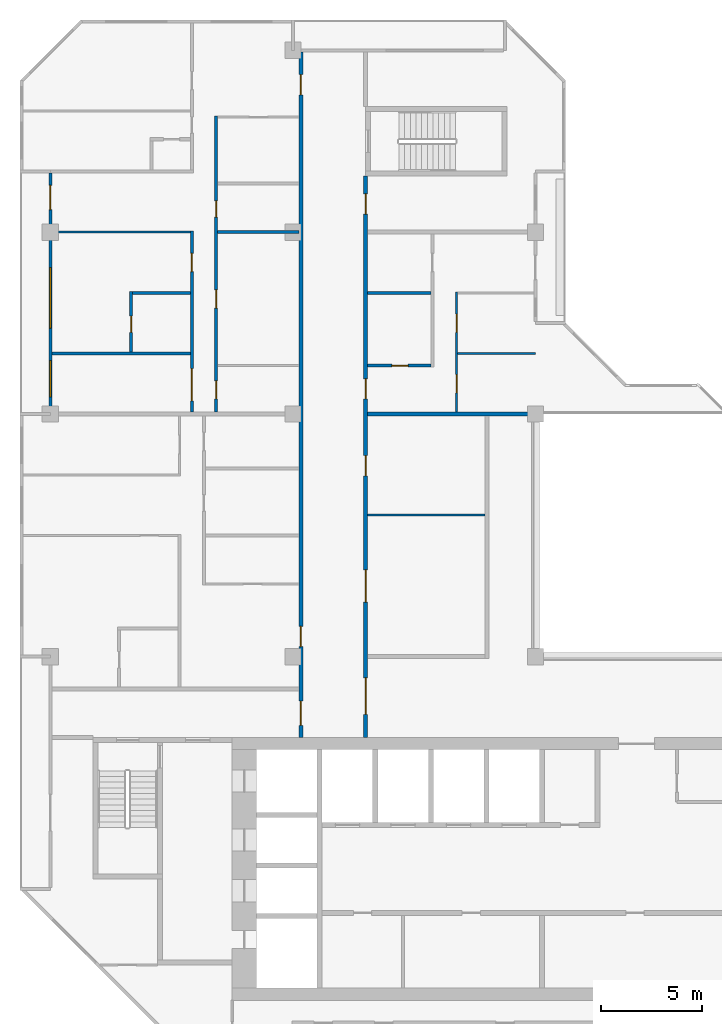
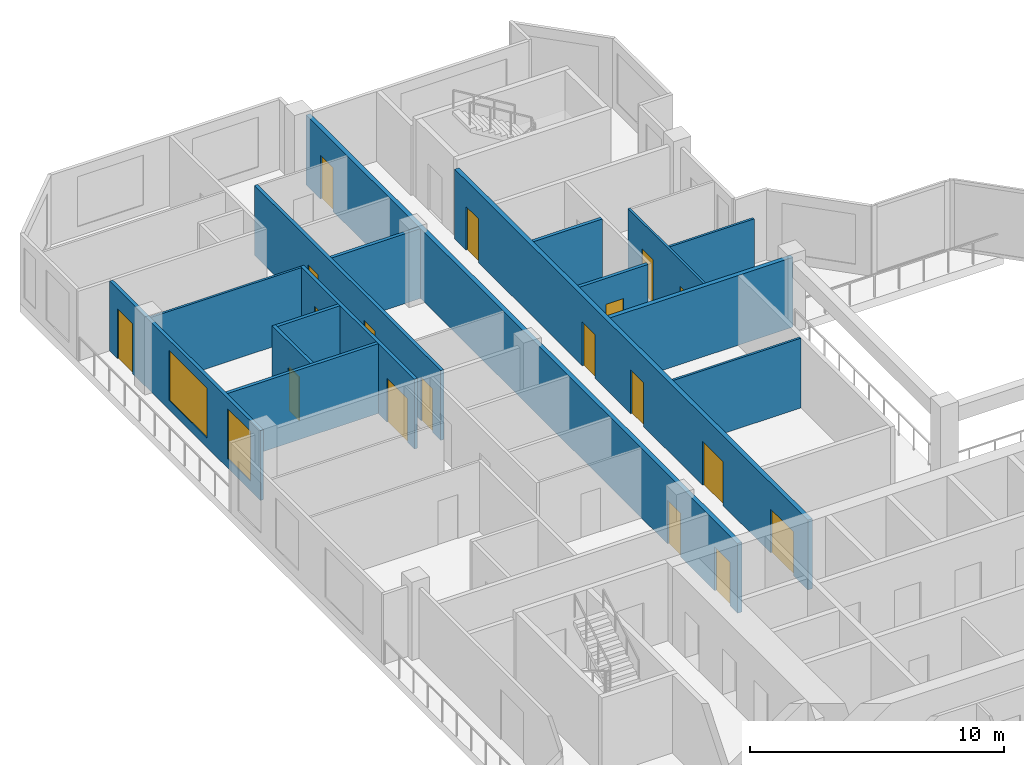
# One storey, part 9 of 13: 18 doors, 16 walls, 2 windows, 20 openings.
"""IFC4 building model written with IfcOpenShell, lengths in metres."""

from ifc_helpers import new_model, si_unit, direction, frame, frame_2d, origin, place, context, subcontext, project, spatial, rectangle, extrude, material, layer, layer_set, type_object, element, fill, save


model = new_model("IFC4")

# Units and contexts
model_context = context("Model", 3, precision=1e-05, world=origin(), true_north=direction((0.0, 1.0)))
body_context = subcontext(model_context, "Body", "Model", "MODEL_VIEW")
ifc_project = project(units=[si_unit("LENGTHUNIT", "METRE"), si_unit("AREAUNIT", "SQUARE_METRE"), si_unit("VOLUMEUNIT", "CUBIC_METRE"), si_unit("PLANEANGLEUNIT", "RADIAN"), si_unit("MASSUNIT", "GRAM", prefix="KILO")], contexts=[model_context])

# Site, building, storey
site_placement = place(None, origin())
site = spatial("IfcSite", under=ifc_project, at=site_placement, CompositionType="ELEMENT")
building_placement = place(site_placement, origin())
building = spatial("IfcBuilding", under=site, at=building_placement, Name="Chenar Terraces", CompositionType="ELEMENT")
storey_placement = place(building_placement, frame((0.0, 0.0, 314.64990234375)))
storey = spatial("IfcBuildingStorey", under=building, at=storey_placement, Name="L74", CompositionType="ELEMENT", Elevation=314.64990234375)

# Wall, openings, doors
ifc_material_1 = material(Name="Gypsum board on steel studs with fire boards", Category="steel")
ifc_layer_1 = layer(ifc_material_1, 0.199951171875)
ifc_layer_set_1 = layer_set([ifc_layer_1], Name="Gypsum board on steel studs with fire boards")
wall_type_1 = type_object("IfcWallType", Name="Corridor wall 200", PredefinedType="PARTITIONING", material=ifc_layer_set_1)
wall_1_placement = place(storey_placement, frame((12.39990234375, 20.0, 0.0), z_axis=(0.0, 0.0, 1.0), x_axis=(0.0, 1.0, 0.0)))
wall_1 = element("IfcWall", 1, at=wall_1_placement, inside=storey, type_object=wall_type_1, Name="Partition L74-034", PredefinedType="PARTITIONING", context=body_context, shape_type="SweptSolid", body=[
    extrude(rectangle(XDim=33.926025390625, YDim=0.199951171875, at=frame_2d((16.962890625, 0.0))), origin(), (0.0, 0.0, 1.0), 3.35009765625),
])
opening_1_placement = place(wall_1_placement, frame((31.800048828125, 0.0, 0.0)))
opening_1 = element("IfcOpeningElement", 2, at=opening_1_placement, cuts=wall_1, Name="Opening DL74-23", PredefinedType="OPENING", context=body_context, shape_type="SweptSolid", body=[
    extrude(rectangle(XDim=1.0, YDim=2.10009765625, at=frame_2d((0.5, 1.050048828125))), frame((0.0, 0.10986328125, 0.0), z_axis=(0.0, -1.0, 0.0), x_axis=(1.0, 0.0, 0.0)), (0.0, 0.0, 1.0), 0.219970703125),
])
opening_2_placement = place(wall_1_placement, frame((0.60009765625, 0.0, 0.0)))
opening_2 = element("IfcOpeningElement", 3, at=opening_2_placement, cuts=wall_1, Name="Opening DL74-31", PredefinedType="OPENING", context=body_context, shape_type="SweptSolid", body=[
    extrude(rectangle(XDim=1.199951171875, YDim=2.10009765625, at=frame_2d((0.60009765625, 1.050048828125))), frame((0.0, 0.10986328125, 0.0), z_axis=(0.0, -1.0, 0.0), x_axis=(1.0, 0.0, 0.0)), (0.0, 0.0, 1.0), 0.219970703125),
])
opening_3_placement = place(wall_1_placement, frame((4.5, 0.0, 0.0)))
opening_3 = element("IfcOpeningElement", 4, at=opening_3_placement, cuts=wall_1, Name="Opening DL74-55", PredefinedType="OPENING", context=body_context, shape_type="SweptSolid", body=[
    extrude(rectangle(XDim=1.0, YDim=2.10009765625, at=frame_2d((0.5, 1.050048828125))), frame((0.0, 0.10986328125, 0.0), z_axis=(0.0, -1.0, 0.0), x_axis=(1.0, 0.0, 0.0)), (0.0, 0.0, 1.0), 0.219970703125),
])
ifc_material_2 = material(Name="Steel-framed fire-resisting door leaf", Category="steel")
door_type_1 = type_object("IfcDoorType", Name="Fire door FD30S 1000 x 2100", OperationType="SINGLE_SWING_LEFT", PredefinedType="DOOR", material=ifc_material_2)
door_1_placement = place(opening_1_placement, origin())
door_1 = element("IfcDoor", 5, at=door_1_placement, inside=storey, type_object=door_type_1, Name="Door DL74-23", OperationType="SINGLE_SWING_RIGHT", OverallHeight=2.10009765625, OverallWidth=1.0, PredefinedType="DOOR", context=body_context, shape_type="SweptSolid", body=[
    extrude(rectangle(XDim=1.0, YDim=2.10009765625, at=frame_2d((0.5, 1.050048828125))), frame((0.0, 0.02490234375, 0.0), z_axis=(0.0, -1.0, 0.0), x_axis=(1.0, 0.0, 0.0)), (0.0, 0.0, 1.0), 0.050048828125),
])
fill(opening_1, door_1)
door_2_placement = place(opening_3_placement, origin())
door_2 = element("IfcDoor", 6, at=door_2_placement, inside=storey, type_object=door_type_1, Name="Door DL74-55", OperationType="SINGLE_SWING_LEFT", OverallHeight=2.10009765625, OverallWidth=1.0, PredefinedType="DOOR", context=body_context, shape_type="SweptSolid", body=[
    extrude(rectangle(XDim=1.0, YDim=2.10009765625, at=frame_2d((0.5, 1.050048828125))), frame((0.0, 0.02490234375, 0.0), z_axis=(0.0, -1.0, 0.0), x_axis=(1.0, 0.0, 0.0)), (0.0, 0.0, 1.0), 0.050048828125),
])
fill(opening_3, door_2)
ifc_material_3 = material(Name="Steel-framed fire-resisting door leaf", Category="steel")
door_type_2 = type_object("IfcDoorType", Name="Fire door FD30S 1200 x 2100", OperationType="SINGLE_SWING_LEFT", PredefinedType="DOOR", material=ifc_material_3)
door_3_placement = place(opening_2_placement, origin())
door_3 = element("IfcDoor", 7, at=door_3_placement, inside=storey, type_object=door_type_2, Name="Door DL74-31", OperationType="SINGLE_SWING_RIGHT", OverallHeight=2.10009765625, OverallWidth=1.199951171875, PredefinedType="DOOR", context=body_context, shape_type="SweptSolid", body=[
    extrude(rectangle(XDim=1.199951171875, YDim=2.10009765625, at=frame_2d((0.60009765625, 1.050048828125))), frame((0.0, 0.02490234375, 0.0), z_axis=(0.0, -1.0, 0.0), x_axis=(1.0, 0.0, 0.0)), (0.0, 0.0, 1.0), 0.050048828125),
])
fill(opening_2, door_3)

wall_2_placement = place(storey_placement, frame((15.60009765625, 20.0, 0.0), z_axis=(0.0, 0.0, 1.0), x_axis=(0.0, 1.0, 0.0)))
wall_2 = element("IfcWall", 8, at=wall_2_placement, inside=storey, type_object=wall_type_1, Name="Partition L74-036", PredefinedType="PARTITIONING", context=body_context, shape_type="SweptSolid", body=[
    extrude(rectangle(XDim=27.77490234375, YDim=0.199951171875, at=frame_2d((13.887451171875, 0.0))), origin(), (0.0, 0.0, 1.0), 3.35009765625),
])
opening_4_placement = place(wall_2_placement, frame((6.699951171875, 0.0, 0.0)))
opening_4 = element("IfcOpeningElement", 9, at=opening_4_placement, cuts=wall_2, Name="Opening DL74-1", PredefinedType="OPENING", context=body_context, shape_type="SweptSolid", body=[
    extrude(rectangle(XDim=1.60009765625, YDim=2.10009765625, at=frame_2d((0.800048828125, 1.050048828125))), frame((0.0, 0.10986328125, 0.0), z_axis=(0.0, -1.0, 0.0), x_axis=(1.0, 0.0, 0.0)), (0.0, 0.0, 1.0), 0.219970703125),
])
opening_5_placement = place(wall_2_placement, frame((12.949951171875, 0.0, 0.0)))
opening_5 = element("IfcOpeningElement", 10, at=opening_5_placement, cuts=wall_2, Name="Opening DL74-2", PredefinedType="OPENING", context=body_context, shape_type="SweptSolid", body=[
    extrude(rectangle(XDim=1.0, YDim=2.10009765625, at=frame_2d((0.5, 1.050048828125))), frame((0.0, 0.10986328125, 0.0), z_axis=(0.0, -1.0, 0.0), x_axis=(1.0, 0.0, 0.0)), (0.0, 0.0, 1.0), 0.219970703125),
])
opening_6_placement = place(wall_2_placement, frame((16.75, 0.0, 0.0)))
opening_6 = element("IfcOpeningElement", 11, at=opening_6_placement, cuts=wall_2, Name="Opening DL74-17", PredefinedType="OPENING", context=body_context, shape_type="SweptSolid", body=[
    extrude(rectangle(XDim=1.0, YDim=2.10009765625, at=frame_2d((0.5, 1.050048828125))), frame((0.0, 0.10986328125, 0.0), z_axis=(0.0, -1.0, 0.0), x_axis=(1.0, 0.0, 0.0)), (0.0, 0.0, 1.0), 0.219970703125),
])
opening_7_placement = place(wall_2_placement, frame((1.14990234375, 0.0, 0.0)))
opening_7 = element("IfcOpeningElement", 12, at=opening_7_placement, cuts=wall_2, Name="Opening DL74-30", PredefinedType="OPENING", context=body_context, shape_type="SweptSolid", body=[
    extrude(rectangle(XDim=1.800048828125, YDim=2.10009765625, at=frame_2d((0.89990234375, 1.050048828125))), frame((0.0, 0.10986328125, 0.0), z_axis=(0.0, -1.0, 0.0), x_axis=(1.0, 0.0, 0.0)), (0.0, 0.0, 1.0), 0.219970703125),
])
opening_8_placement = place(wall_2_placement, frame((25.89990234375, 0.0, 0.0)))
opening_8 = element("IfcOpeningElement", 13, at=opening_8_placement, cuts=wall_2, Name="Opening DL74-33", PredefinedType="OPENING", context=body_context, shape_type="SweptSolid", body=[
    extrude(rectangle(XDim=1.0, YDim=2.10009765625, at=frame_2d((0.5, 1.050048828125))), frame((0.0, 0.10986328125, 0.0), z_axis=(0.0, -1.0, 0.0), x_axis=(1.0, 0.0, 0.0)), (0.0, 0.0, 1.0), 0.219970703125),
])
ifc_material_4 = material(Name="Steel-framed fire-resisting door leaf", Category="steel")
door_type_3 = type_object("IfcDoorType", Name="Fire door FD60 1000 x 2100", OperationType="SINGLE_SWING_LEFT", PredefinedType="DOOR", material=ifc_material_4)
door_4_placement = place(opening_5_placement, frame((1.0, 0.0, 0.0), z_axis=(0.0, 0.0, 1.0), x_axis=(-1.0, 0.0, 0.0)))
door_4 = element("IfcDoor", 14, at=door_4_placement, inside=storey, type_object=door_type_3, Name="Door DL74-2", OperationType="SINGLE_SWING_LEFT", OverallHeight=2.10009765625, OverallWidth=1.0, PredefinedType="DOOR", context=body_context, shape_type="SweptSolid", body=[
    extrude(rectangle(XDim=1.0, YDim=2.10009765625, at=frame_2d((0.5, 1.050048828125))), frame((0.0, 0.02490234375, 0.0), z_axis=(0.0, -1.0, 0.0), x_axis=(1.0, 0.0, 0.0)), (0.0, 0.0, 1.0), 0.050048828125),
])
fill(opening_5, door_4)
door_5_placement = place(opening_6_placement, frame((1.0, 0.0, 0.0), z_axis=(0.0, 0.0, 1.0), x_axis=(-1.0, 0.0, 0.0)))
door_5 = element("IfcDoor", 15, at=door_5_placement, inside=storey, type_object=door_type_3, Name="Door DL74-17", OperationType="SINGLE_SWING_LEFT", OverallHeight=2.10009765625, OverallWidth=1.0, PredefinedType="DOOR", context=body_context, shape_type="SweptSolid", body=[
    extrude(rectangle(XDim=1.0, YDim=2.10009765625, at=frame_2d((0.5, 1.050048828125))), frame((0.0, 0.02490234375, 0.0), z_axis=(0.0, -1.0, 0.0), x_axis=(1.0, 0.0, 0.0)), (0.0, 0.0, 1.0), 0.050048828125),
])
fill(opening_6, door_5)
door_6_placement = place(opening_8_placement, frame((1.0, 0.0, 0.0), z_axis=(0.0, 0.0, 1.0), x_axis=(-1.0, 0.0, 0.0)))
door_6 = element("IfcDoor", 16, at=door_6_placement, inside=storey, type_object=door_type_3, Name="Door DL74-33", OperationType="SINGLE_SWING_RIGHT", OverallHeight=2.10009765625, OverallWidth=1.0, PredefinedType="DOOR", context=body_context, shape_type="SweptSolid", body=[
    extrude(rectangle(XDim=1.0, YDim=2.10009765625, at=frame_2d((0.5, 1.050048828125))), frame((0.0, 0.02490234375, 0.0), z_axis=(0.0, -1.0, 0.0), x_axis=(1.0, 0.0, 0.0)), (0.0, 0.0, 1.0), 0.050048828125),
])
fill(opening_8, door_6)
ifc_material_5 = material(Name="Steel-framed fire-resisting door leaf", Category="steel")
door_type_4 = type_object("IfcDoorType", Name="Fire double door FD60 1600 x 2100", OperationType="DOUBLE_DOOR_SINGLE_SWING", PredefinedType="DOOR", material=ifc_material_5)
door_7_placement = place(opening_4_placement, frame((1.60009765625, 0.0, 0.0), z_axis=(0.0, 0.0, 1.0), x_axis=(-1.0, 0.0, 0.0)))
door_7 = element("IfcDoor", 17, at=door_7_placement, inside=storey, type_object=door_type_4, Name="Door DL74-1", OperationType="DOUBLE_DOOR_SINGLE_SWING", OverallHeight=2.10009765625, OverallWidth=1.60009765625, PredefinedType="DOOR", context=body_context, shape_type="SweptSolid", body=[
    extrude(rectangle(XDim=1.60009765625, YDim=2.10009765625, at=frame_2d((0.800048828125, 1.050048828125))), frame((0.0, 0.02490234375, 0.0), z_axis=(0.0, -1.0, 0.0), x_axis=(1.0, 0.0, 0.0)), (0.0, 0.0, 1.0), 0.050048828125),
])
fill(opening_4, door_7)
ifc_material_6 = material(Name="Steel-framed fire-resisting door leaf", Category="steel")
door_type_5 = type_object("IfcDoorType", Name="Fire double door FD60 1800 x 2100", OperationType="DOUBLE_DOOR_SINGLE_SWING", PredefinedType="DOOR", material=ifc_material_6)
door_8_placement = place(opening_7_placement, frame((1.800048828125, 0.0, 0.0), z_axis=(0.0, 0.0, 1.0), x_axis=(-1.0, 0.0, 0.0)))
door_8 = element("IfcDoor", 18, at=door_8_placement, inside=storey, type_object=door_type_5, Name="Door DL74-30", OperationType="DOUBLE_DOOR_SINGLE_SWING", OverallHeight=2.10009765625, OverallWidth=1.800048828125, PredefinedType="DOOR", context=body_context, shape_type="SweptSolid", body=[
    extrude(rectangle(XDim=1.800048828125, YDim=2.10009765625, at=frame_2d((0.89990234375, 1.050048828125))), frame((0.0, 0.02490234375, 0.0), z_axis=(0.0, -1.0, 0.0), x_axis=(1.0, 0.0, 0.0)), (0.0, 0.0, 1.0), 0.050048828125),
])
fill(opening_7, door_8)

# Wall, openings, windows, door
ifc_material_7 = material(Name="Aluminium framed glazing", Category="aluminium")
ifc_layer_2 = layer(ifc_material_7, 0.14990234375)
ifc_layer_set_2 = layer_set([ifc_layer_2], Name="Aluminium framed glazing")
wall_type_2 = type_object("IfcWallType", Name="Glazed loggia back wall 150", PredefinedType="SOLIDWALL", material=ifc_layer_set_2)
wall_3_placement = place(storey_placement, frame((0.0, 47.925048828125, 0.0), z_axis=(0.0, 0.0, 1.0), x_axis=(0.0, -1.0, 0.0)))
wall_3 = element("IfcWall", 19, at=wall_3_placement, inside=storey, type_object=wall_type_2, Name="Glazed loggia back wall", PredefinedType="SOLIDWALL", context=body_context, shape_type="SweptSolid", body=[
    extrude(rectangle(XDim=11.85009765625, YDim=0.14990234375, at=frame_2d((5.925048828125, 0.0))), origin(), (0.0, 0.0, 1.0), 3.35009765625),
])
opening_9_placement = place(wall_3_placement, frame((0.612548828125, 0.0, 0.0)))
opening_9 = element("IfcOpeningElement", 20, at=opening_9_placement, cuts=wall_3, Name="Opening DL74-G2", PredefinedType="OPENING", context=body_context, shape_type="SweptSolid", body=[
    extrude(rectangle(XDim=1.199951171875, YDim=2.39990234375, at=frame_2d((0.60009765625, 1.199951171875))), frame((0.0, 0.0849609375, 0.0), z_axis=(0.0, -1.0, 0.0), x_axis=(1.0, 0.0, 0.0)), (0.0, 0.0, 1.0), 0.169921875),
])
opening_10_placement = place(wall_3_placement, frame((4.675048828125, 0.0, 0.449951171875)))
opening_10 = element("IfcOpeningElement", 21, at=opening_10_placement, cuts=wall_3, Name="Opening W300x240", PredefinedType="OPENING", context=body_context, shape_type="SweptSolid", body=[
    extrude(rectangle(XDim=3.0, YDim=2.39990234375, at=frame_2d((1.5, 1.199951171875))), frame((0.0, 0.0849609375, 0.0), z_axis=(0.0, -1.0, 0.0), x_axis=(1.0, 0.0, 0.0)), (0.0, 0.0, 1.0), 0.169921875),
])
opening_11_placement = place(wall_3_placement, frame((9.27490234375, 0.0, 0.449951171875)))
opening_11 = element("IfcOpeningElement", 22, at=opening_11_placement, cuts=wall_3, Name="Opening W180x240", PredefinedType="OPENING", context=body_context, shape_type="SweptSolid", body=[
    extrude(rectangle(XDim=1.800048828125, YDim=2.39990234375, at=frame_2d((0.89990234375, 1.199951171875))), frame((0.0, 0.0849609375, 0.0), z_axis=(0.0, -1.0, 0.0), x_axis=(1.0, 0.0, 0.0)), (0.0, 0.0, 1.0), 0.169921875),
])
ifc_material_8 = material(Name="Low emissivity double glazing, aluminium frame", Category="aluminium")
window_type_1 = type_object("IfcWindowType", Name="Fixed light 1800 x 2400", PartitioningType="SINGLE_PANEL", PredefinedType="WINDOW", material=ifc_material_8)
window_1_placement = place(opening_11_placement, origin())
window_1 = element("IfcWindow", 23, at=window_1_placement, inside=storey, type_object=window_type_1, Name="Window", OverallHeight=2.39990234375, OverallWidth=1.800048828125, PartitioningType="SINGLE_PANEL", PredefinedType="WINDOW", context=body_context, shape_type="SweptSolid", body=[
    extrude(rectangle(XDim=1.800048828125, YDim=2.39990234375, at=frame_2d((0.89990234375, 1.199951171875))), frame((0.0, 0.030029296875, 0.0), z_axis=(0.0, -1.0, 0.0), x_axis=(1.0, 0.0, 0.0)), (0.0, 0.0, 1.0), 0.06005859375),
])
fill(opening_11, window_1)
ifc_material_9 = material(Name="Low emissivity double glazing, aluminium frame", Category="aluminium")
window_type_2 = type_object("IfcWindowType", Name="Fixed light 3000 x 2400", PartitioningType="SINGLE_PANEL", PredefinedType="WINDOW", material=ifc_material_9)
window_2_placement = place(opening_10_placement, origin())
window_2 = element("IfcWindow", 24, at=window_2_placement, inside=storey, type_object=window_type_2, Name="Window", OverallHeight=2.39990234375, OverallWidth=3.0, PartitioningType="SINGLE_PANEL", PredefinedType="WINDOW", context=body_context, shape_type="SweptSolid", body=[
    extrude(rectangle(XDim=3.0, YDim=2.39990234375, at=frame_2d((1.5, 1.199951171875))), frame((0.0, 0.030029296875, 0.0), z_axis=(0.0, -1.0, 0.0), x_axis=(1.0, 0.0, 0.0)), (0.0, 0.0, 1.0), 0.06005859375),
])
fill(opening_10, window_2)
ifc_material_10 = material(Name="Low emissivity double glazing, aluminium frame", Category="aluminium")
door_type_6 = type_object("IfcDoorType", Name="Loggia glazed double door 1200 x 2400", OperationType="DOUBLE_DOOR_SINGLE_SWING", PredefinedType="DOOR", material=ifc_material_10)
door_9_placement = place(opening_9_placement, frame((1.199951171875, 0.0, 0.0), z_axis=(0.0, 0.0, 1.0), x_axis=(-1.0, 0.0, 0.0)))
door_9 = element("IfcDoor", 25, at=door_9_placement, inside=storey, type_object=door_type_6, Name="Loggia glazed door", OperationType="DOUBLE_DOOR_SINGLE_SWING", OverallHeight=2.39990234375, OverallWidth=1.199951171875, PredefinedType="DOOR", context=body_context, shape_type="SweptSolid", body=[
    extrude(rectangle(XDim=1.199951171875, YDim=2.39990234375, at=frame_2d((0.60009765625, 1.199951171875))), frame((0.0, 0.02490234375, 0.0), z_axis=(0.0, -1.0, 0.0), x_axis=(1.0, 0.0, 0.0)), (0.0, 0.0, 1.0), 0.050048828125),
])
fill(opening_9, door_9)

# Walls
ifc_material_11 = material(Name="Gypsum board on steel studs", Category="steel")
ifc_layer_3 = layer(ifc_material_11, 0.10009765625)
ifc_layer_set_3 = layer_set([ifc_layer_3], Name="Gypsum board on steel studs")
wall_type_3 = type_object("IfcWallType", Name="Gypsum partition 100", PredefinedType="PARTITIONING", material=ifc_layer_set_3)
wall_4_placement = place(storey_placement, frame((0.073974609375, 45.0, 0.0), z_axis=(0.0, 0.0, 1.0), x_axis=(1.0, 0.0, 0.0)))
element("IfcWall", 26, at=wall_4_placement, inside=storey, type_object=wall_type_3, Name="Partition L74-009", PredefinedType="PARTITIONING", context=body_context, shape_type="SweptSolid", body=[
    extrude(rectangle(XDim=6.85107421875, YDim=0.10009765625, at=frame_2d((3.425537109375, 0.0))), origin(), (0.0, 0.0, 1.0), 3.35009765625),
])
wall_5_placement = place(storey_placement, frame((15.699951171875, 31.0, 0.0), z_axis=(0.0, 0.0, 1.0), x_axis=(1.0, 0.0, 0.0)))
element("IfcWall", 27, at=wall_5_placement, inside=storey, type_object=wall_type_3, Name="Partition L74-039", PredefinedType="PARTITIONING", context=body_context, shape_type="SweptSolid", body=[
    extrude(rectangle(XDim=5.800048828125, YDim=0.10009765625, at=frame_2d((2.89990234375, 0.0))), origin(), (0.0, 0.0, 1.0), 3.35009765625),
])

# Wall, openings, doors
wall_6_placement = place(storey_placement, frame((20.10009765625, 36.10009765625, 0.0), z_axis=(0.0, 0.0, 1.0), x_axis=(0.0, 1.0, 0.0)))
wall_6 = element("IfcWall", 28, at=wall_6_placement, inside=storey, type_object=wall_type_3, Name="Partition L74-047", PredefinedType="PARTITIONING", context=body_context, shape_type="SweptSolid", body=[
    extrude(rectangle(XDim=5.949951171875, YDim=0.10009765625, at=frame_2d((2.97509765625, 0.0))), origin(), (0.0, 0.0, 1.0), 3.35009765625),
])
opening_12_placement = place(wall_6_placement, frame((0.949951171875, 0.0, 0.0)))
opening_12 = element("IfcOpeningElement", 29, at=opening_12_placement, cuts=wall_6, Name="Opening DL74-14", PredefinedType="OPENING", context=body_context, shape_type="SweptSolid", body=[
    extrude(rectangle(XDim=0.89990234375, YDim=2.10009765625, at=frame_2d((0.449951171875, 1.050048828125))), frame((0.0, 0.06005859375, 0.0), z_axis=(0.0, -1.0, 0.0), x_axis=(1.0, 0.0, 0.0)), (0.0, 0.0, 1.0), 0.1201171875),
])
opening_13_placement = place(wall_6_placement, frame((3.949951171875, 0.0, 0.0)))
opening_13 = element("IfcOpeningElement", 30, at=opening_13_placement, cuts=wall_6, Name="Opening DL74-15", PredefinedType="OPENING", context=body_context, shape_type="SweptSolid", body=[
    extrude(rectangle(XDim=0.89990234375, YDim=2.10009765625, at=frame_2d((0.449951171875, 1.050048828125))), frame((0.0, 0.06005859375, 0.0), z_axis=(0.0, -1.0, 0.0), x_axis=(1.0, 0.0, 0.0)), (0.0, 0.0, 1.0), 0.1201171875),
])
ifc_material_12 = material(Name="Veneered timber door leaf", Category="wood")
door_type_7 = type_object("IfcDoorType", Name="Door 900 x 2100", OperationType="SINGLE_SWING_LEFT", PredefinedType="DOOR", material=ifc_material_12)
door_10_placement = place(opening_12_placement, frame((0.89990234375, 0.0, 0.0), z_axis=(0.0, 0.0, 1.0), x_axis=(-1.0, 0.0, 0.0)))
door_10 = element("IfcDoor", 31, at=door_10_placement, inside=storey, type_object=door_type_7, Name="Door DL74-14", OperationType="SINGLE_SWING_LEFT", OverallHeight=2.10009765625, OverallWidth=0.89990234375, PredefinedType="DOOR", context=body_context, shape_type="SweptSolid", body=[
    extrude(rectangle(XDim=0.89990234375, YDim=2.10009765625, at=frame_2d((0.449951171875, 1.050048828125))), frame((0.0, 0.02490234375, 0.0), z_axis=(0.0, -1.0, 0.0), x_axis=(1.0, 0.0, 0.0)), (0.0, 0.0, 1.0), 0.050048828125),
])
fill(opening_12, door_10)
door_11_placement = place(opening_13_placement, frame((0.89990234375, 0.0, 0.0), z_axis=(0.0, 0.0, 1.0), x_axis=(-1.0, 0.0, 0.0)))
door_11 = element("IfcDoor", 32, at=door_11_placement, inside=storey, type_object=door_type_7, Name="Door DL74-15", OperationType="SINGLE_SWING_LEFT", OverallHeight=2.10009765625, OverallWidth=0.89990234375, PredefinedType="DOOR", context=body_context, shape_type="SweptSolid", body=[
    extrude(rectangle(XDim=0.89990234375, YDim=2.10009765625, at=frame_2d((0.449951171875, 1.050048828125))), frame((0.0, 0.02490234375, 0.0), z_axis=(0.0, -1.0, 0.0), x_axis=(1.0, 0.0, 0.0)), (0.0, 0.0, 1.0), 0.050048828125),
])
fill(opening_13, door_11)

# Walls
wall_7_placement = place(storey_placement, frame((20.14990234375, 39.0, 0.0), z_axis=(0.0, 0.0, 1.0), x_axis=(1.0, 0.0, 0.0)))
element("IfcWall", 33, at=wall_7_placement, inside=storey, type_object=wall_type_3, Name="Partition L74-048", PredefinedType="PARTITIONING", context=body_context, shape_type="SweptSolid", body=[
    extrude(rectangle(XDim=3.85009765625, YDim=0.10009765625, at=frame_2d((1.925048828125, 0.0))), origin(), (0.0, 0.0, 1.0), 3.35009765625),
])
ifc_material_13 = material(Name="Twin gypsum board on steel studs with mineral wool", Category="steel")
ifc_layer_4 = layer(ifc_material_13, 0.199951171875)
ifc_layer_set_4 = layer_set([ifc_layer_4], Name="Twin gypsum board on steel studs with mineral wool")
wall_type_4 = type_object("IfcWallType", Name="Unit demising wall 200", PredefinedType="PARTITIONING", material=ifc_layer_set_4)
wall_8_placement = place(storey_placement, frame((15.699951171875, 36.0, 0.0), z_axis=(0.0, 0.0, 1.0), x_axis=(1.0, 0.0, 0.0)))
element("IfcWall", 34, at=wall_8_placement, inside=storey, type_object=wall_type_4, Name="Partition L74-040", PredefinedType="PARTITIONING", context=body_context, shape_type="SweptSolid", body=[
    extrude(rectangle(XDim=8.300048828125, YDim=0.199951171875, at=frame_2d((4.14990234375, 0.0))), origin(), (0.0, 0.0, 1.0), 3.35009765625),
])
ifc_material_14 = material(Name="Moisture-resistant gypsum board on steel studs", Category="steel")
ifc_layer_5 = layer(ifc_material_14, 0.14990234375)
ifc_layer_set_5 = layer_set([ifc_layer_5], Name="Moisture-resistant gypsum board on steel studs")
wall_type_5 = type_object("IfcWallType", Name="Wet-room partition 150", PredefinedType="PARTITIONING", material=ifc_layer_set_5)
wall_9_placement = place(storey_placement, frame((0.073974609375, 39.0, 0.0), z_axis=(0.0, 0.0, 1.0), x_axis=(1.0, 0.0, 0.0)))
element("IfcWall", 35, at=wall_9_placement, inside=storey, type_object=wall_type_5, Name="Partition L74-008", PredefinedType="PARTITIONING", context=body_context, shape_type="SweptSolid", body=[
    extrude(rectangle(XDim=6.85107421875, YDim=0.14990234375, at=frame_2d((3.425537109375, 0.0))), origin(), (0.0, 0.0, 1.0), 3.35009765625),
])

# Wall, opening, door
wall_10_placement = place(storey_placement, frame((4.0, 39.074951171875, 0.0), z_axis=(0.0, 0.0, 1.0), x_axis=(0.0, 1.0, 0.0)))
wall_10 = element("IfcWall", 36, at=wall_10_placement, inside=storey, type_object=wall_type_5, Name="Partition L74-013", PredefinedType="PARTITIONING", context=body_context, shape_type="SweptSolid", body=[
    extrude(rectangle(XDim=3.0, YDim=0.14990234375, at=frame_2d((1.5, 0.0))), origin(), (0.0, 0.0, 1.0), 3.35009765625),
])
opening_14_placement = place(wall_10_placement, frame((0.97509765625, 0.0, 0.0)))
opening_14 = element("IfcOpeningElement", 37, at=opening_14_placement, cuts=wall_10, Name="Opening DL74-21", PredefinedType="OPENING", context=body_context, shape_type="SweptSolid", body=[
    extrude(rectangle(XDim=0.800048828125, YDim=2.10009765625, at=frame_2d((0.39990234375, 1.050048828125))), frame((0.0, 0.0849609375, 0.0), z_axis=(0.0, -1.0, 0.0), x_axis=(1.0, 0.0, 0.0)), (0.0, 0.0, 1.0), 0.169921875),
])
ifc_material_15 = material(Name="Veneered timber door leaf", Category="wood")
door_type_8 = type_object("IfcDoorType", Name="Door 800 x 2100", OperationType="SINGLE_SWING_LEFT", PredefinedType="DOOR", material=ifc_material_15)
door_12_placement = place(opening_14_placement, frame((0.800048828125, 0.0, 0.0), z_axis=(0.0, 0.0, 1.0), x_axis=(-1.0, 0.0, 0.0)))
door_12 = element("IfcDoor", 38, at=door_12_placement, inside=storey, type_object=door_type_8, Name="Door DL74-21", OperationType="SINGLE_SWING_RIGHT", OverallHeight=2.10009765625, OverallWidth=0.800048828125, PredefinedType="DOOR", context=body_context, shape_type="SweptSolid", body=[
    extrude(rectangle(XDim=0.800048828125, YDim=2.10009765625, at=frame_2d((0.39990234375, 1.050048828125))), frame((0.0, 0.02490234375, 0.0), z_axis=(0.0, -1.0, 0.0), x_axis=(1.0, 0.0, 0.0)), (0.0, 0.0, 1.0), 0.050048828125),
])
fill(opening_14, door_12)

# Wall
wall_11_placement = place(storey_placement, frame((4.074951171875, 42.0, 0.0), z_axis=(0.0, 0.0, 1.0), x_axis=(1.0, 0.0, 0.0)))
element("IfcWall", 39, at=wall_11_placement, inside=storey, type_object=wall_type_5, Name="Partition L74-014", PredefinedType="PARTITIONING", context=body_context, shape_type="SweptSolid", body=[
    extrude(rectangle(XDim=2.85009765625, YDim=0.14990234375, at=frame_2d((1.425048828125, 0.0))), origin(), (0.0, 0.0, 1.0), 3.35009765625),
])

# Wall, openings, doors
wall_12_placement = place(storey_placement, frame((7.0, 36.10009765625, 0.0), z_axis=(0.0, 0.0, 1.0), x_axis=(0.0, 1.0, 0.0)))
wall_12 = element("IfcWall", 40, at=wall_12_placement, inside=storey, type_object=wall_type_5, Name="Partition L74-019", PredefinedType="PARTITIONING", context=body_context, shape_type="SweptSolid", body=[
    extrude(rectangle(XDim=8.949951171875, YDim=0.14990234375, at=frame_2d((4.47509765625, 0.0))), origin(), (0.0, 0.0, 1.0), 3.35009765625),
])
opening_15_placement = place(wall_12_placement, frame((6.949951171875, 0.0, 0.0)))
opening_15 = element("IfcOpeningElement", 41, at=opening_15_placement, cuts=wall_12, Name="Opening DL74-20", PredefinedType="OPENING", context=body_context, shape_type="SweptSolid", body=[
    extrude(rectangle(XDim=0.89990234375, YDim=2.10009765625, at=frame_2d((0.449951171875, 1.050048828125))), frame((0.0, 0.0849609375, 0.0), z_axis=(0.0, -1.0, 0.0), x_axis=(1.0, 0.0, 0.0)), (0.0, 0.0, 1.0), 0.169921875),
])
opening_16_placement = place(wall_12_placement, frame((0.550048828125, 0.0, 0.0)))
opening_16 = element("IfcOpeningElement", 42, at=opening_16_placement, cuts=wall_12, Name="Opening DL74-26", PredefinedType="OPENING", context=body_context, shape_type="SweptSolid", body=[
    extrude(rectangle(XDim=1.60009765625, YDim=2.10009765625, at=frame_2d((0.800048828125, 1.050048828125))), frame((0.0, 0.0849609375, 0.0), z_axis=(0.0, -1.0, 0.0), x_axis=(1.0, 0.0, 0.0)), (0.0, 0.0, 1.0), 0.169921875),
])
door_13_placement = place(opening_15_placement, origin())
door_13 = element("IfcDoor", 43, at=door_13_placement, inside=storey, type_object=door_type_7, Name="Door DL74-20", OperationType="SINGLE_SWING_RIGHT", OverallHeight=2.10009765625, OverallWidth=0.89990234375, PredefinedType="DOOR", context=body_context, shape_type="SweptSolid", body=[
    extrude(rectangle(XDim=0.89990234375, YDim=2.10009765625, at=frame_2d((0.449951171875, 1.050048828125))), frame((0.0, 0.02490234375, 0.0), z_axis=(0.0, -1.0, 0.0), x_axis=(1.0, 0.0, 0.0)), (0.0, 0.0, 1.0), 0.050048828125),
])
fill(opening_15, door_13)
ifc_material_16 = material(Name="Veneered timber door leaf", Category="wood")
door_type_9 = type_object("IfcDoorType", Name="Double door 1600 x 2100", OperationType="DOUBLE_DOOR_SINGLE_SWING", PredefinedType="DOOR", material=ifc_material_16)
door_14_placement = place(opening_16_placement, origin())
door_14 = element("IfcDoor", 44, at=door_14_placement, inside=storey, type_object=door_type_9, Name="Door DL74-26", OperationType="DOUBLE_DOOR_SINGLE_SWING", OverallHeight=2.10009765625, OverallWidth=1.60009765625, PredefinedType="DOOR", context=body_context, shape_type="SweptSolid", body=[
    extrude(rectangle(XDim=1.60009765625, YDim=2.10009765625, at=frame_2d((0.800048828125, 1.050048828125))), frame((0.0, 0.02490234375, 0.0), z_axis=(0.0, -1.0, 0.0), x_axis=(1.0, 0.0, 0.0)), (0.0, 0.0, 1.0), 0.050048828125),
])
fill(opening_16, door_14)

wall_13_placement = place(storey_placement, frame((8.199951171875, 36.10009765625, 0.0), z_axis=(0.0, 0.0, 1.0), x_axis=(0.0, 1.0, 0.0)))
wall_13 = element("IfcWall", 45, at=wall_13_placement, inside=storey, type_object=wall_type_5, Name="Partition L74-025", PredefinedType="PARTITIONING", context=body_context, shape_type="SweptSolid", body=[
    extrude(rectangle(XDim=14.64990234375, YDim=0.14990234375, at=frame_2d((7.324951171875, 0.0))), origin(), (0.0, 0.0, 1.0), 3.35009765625),
])
opening_17_placement = place(wall_13_placement, frame((9.64990234375, 0.0, 0.0)))
opening_17 = element("IfcOpeningElement", 46, at=opening_17_placement, cuts=wall_13, Name="Opening DL74-18", PredefinedType="OPENING", context=body_context, shape_type="SweptSolid", body=[
    extrude(rectangle(XDim=0.800048828125, YDim=2.10009765625, at=frame_2d((0.39990234375, 1.050048828125))), frame((0.0, 0.0849609375, 0.0), z_axis=(0.0, -1.0, 0.0), x_axis=(1.0, 0.0, 0.0)), (0.0, 0.0, 1.0), 0.169921875),
])
opening_18_placement = place(wall_13_placement, frame((5.14990234375, 0.0, 0.0)))
opening_18 = element("IfcOpeningElement", 47, at=opening_18_placement, cuts=wall_13, Name="Opening DL74-22", PredefinedType="OPENING", context=body_context, shape_type="SweptSolid", body=[
    extrude(rectangle(XDim=0.89990234375, YDim=2.10009765625, at=frame_2d((0.449951171875, 1.050048828125))), frame((0.0, 0.0849609375, 0.0), z_axis=(0.0, -1.0, 0.0), x_axis=(1.0, 0.0, 0.0)), (0.0, 0.0, 1.0), 0.169921875),
])
opening_19_placement = place(wall_13_placement, frame((0.64990234375, 0.0, 0.0)))
opening_19 = element("IfcOpeningElement", 48, at=opening_19_placement, cuts=wall_13, Name="Opening DL74-27", PredefinedType="OPENING", context=body_context, shape_type="SweptSolid", body=[
    extrude(rectangle(XDim=0.89990234375, YDim=2.10009765625, at=frame_2d((0.449951171875, 1.050048828125))), frame((0.0, 0.0849609375, 0.0), z_axis=(0.0, -1.0, 0.0), x_axis=(1.0, 0.0, 0.0)), (0.0, 0.0, 1.0), 0.169921875),
])
door_15_placement = place(opening_17_placement, frame((0.800048828125, 0.0, 0.0), z_axis=(0.0, 0.0, 1.0), x_axis=(-1.0, 0.0, 0.0)))
door_15 = element("IfcDoor", 49, at=door_15_placement, inside=storey, type_object=door_type_8, Name="Door DL74-18", OperationType="SINGLE_SWING_RIGHT", OverallHeight=2.10009765625, OverallWidth=0.800048828125, PredefinedType="DOOR", context=body_context, shape_type="SweptSolid", body=[
    extrude(rectangle(XDim=0.800048828125, YDim=2.10009765625, at=frame_2d((0.39990234375, 1.050048828125))), frame((0.0, 0.02490234375, 0.0), z_axis=(0.0, -1.0, 0.0), x_axis=(1.0, 0.0, 0.0)), (0.0, 0.0, 1.0), 0.050048828125),
])
fill(opening_17, door_15)
door_16_placement = place(opening_18_placement, frame((0.89990234375, 0.0, 0.0), z_axis=(0.0, 0.0, 1.0), x_axis=(-1.0, 0.0, 0.0)))
door_16 = element("IfcDoor", 50, at=door_16_placement, inside=storey, type_object=door_type_7, Name="Door DL74-22", OperationType="SINGLE_SWING_LEFT", OverallHeight=2.10009765625, OverallWidth=0.89990234375, PredefinedType="DOOR", context=body_context, shape_type="SweptSolid", body=[
    extrude(rectangle(XDim=0.89990234375, YDim=2.10009765625, at=frame_2d((0.449951171875, 1.050048828125))), frame((0.0, 0.02490234375, 0.0), z_axis=(0.0, -1.0, 0.0), x_axis=(1.0, 0.0, 0.0)), (0.0, 0.0, 1.0), 0.050048828125),
])
fill(opening_18, door_16)
door_17_placement = place(opening_19_placement, frame((0.89990234375, 0.0, 0.0), z_axis=(0.0, 0.0, 1.0), x_axis=(-1.0, 0.0, 0.0)))
door_17 = element("IfcDoor", 51, at=door_17_placement, inside=storey, type_object=door_type_7, Name="Door DL74-27", OperationType="SINGLE_SWING_RIGHT", OverallHeight=2.10009765625, OverallWidth=0.89990234375, PredefinedType="DOOR", context=body_context, shape_type="SweptSolid", body=[
    extrude(rectangle(XDim=0.89990234375, YDim=2.10009765625, at=frame_2d((0.449951171875, 1.050048828125))), frame((0.0, 0.02490234375, 0.0), z_axis=(0.0, -1.0, 0.0), x_axis=(1.0, 0.0, 0.0)), (0.0, 0.0, 1.0), 0.050048828125),
])
fill(opening_19, door_17)

# Wall
wall_14_placement = place(storey_placement, frame((8.27490234375, 45.0, 0.0), z_axis=(0.0, 0.0, 1.0), x_axis=(1.0, 0.0, 0.0)))
element("IfcWall", 52, at=wall_14_placement, inside=storey, type_object=wall_type_5, Name="Partition L74-027", PredefinedType="PARTITIONING", context=body_context, shape_type="SweptSolid", body=[
    extrude(rectangle(XDim=4.025146484375, YDim=0.14990234375, at=frame_2d((2.0126953125, 0.0))), origin(), (0.0, 0.0, 1.0), 3.35009765625),
])

# Wall, opening, door
wall_15_placement = place(storey_placement, frame((15.699951171875, 38.39990234375, 0.0), z_axis=(0.0, 0.0, 1.0), x_axis=(1.0, 0.0, 0.0)))
wall_15 = element("IfcWall", 53, at=wall_15_placement, inside=storey, type_object=wall_type_5, Name="Partition L74-041", PredefinedType="PARTITIONING", context=body_context, shape_type="SweptSolid", body=[
    extrude(rectangle(XDim=3.125, YDim=0.14990234375, at=frame_2d((1.5625, 0.0))), origin(), (0.0, 0.0, 1.0), 3.35009765625),
])
opening_20_placement = place(wall_15_placement, frame((1.199951171875, 0.0, 0.0)))
opening_20 = element("IfcOpeningElement", 54, at=opening_20_placement, cuts=wall_15, Name="Opening DL74-13", PredefinedType="OPENING", context=body_context, shape_type="SweptSolid", body=[
    extrude(rectangle(XDim=0.800048828125, YDim=2.10009765625, at=frame_2d((0.39990234375, 1.050048828125))), frame((0.0, 0.0849609375, 0.0), z_axis=(0.0, -1.0, 0.0), x_axis=(1.0, 0.0, 0.0)), (0.0, 0.0, 1.0), 0.169921875),
])
door_18_placement = place(opening_20_placement, origin())
door_18 = element("IfcDoor", 55, at=door_18_placement, inside=storey, type_object=door_type_8, Name="Door DL74-13", OperationType="SINGLE_SWING_RIGHT", OverallHeight=2.10009765625, OverallWidth=0.800048828125, PredefinedType="DOOR", context=body_context, shape_type="SweptSolid", body=[
    extrude(rectangle(XDim=0.800048828125, YDim=2.10009765625, at=frame_2d((0.39990234375, 1.050048828125))), frame((0.0, 0.02490234375, 0.0), z_axis=(0.0, -1.0, 0.0), x_axis=(1.0, 0.0, 0.0)), (0.0, 0.0, 1.0), 0.050048828125),
])
fill(opening_20, door_18)

# Wall
wall_16_placement = place(storey_placement, frame((15.699951171875, 42.0, 0.0), z_axis=(0.0, 0.0, 1.0), x_axis=(1.0, 0.0, 0.0)))
element("IfcWall", 56, at=wall_16_placement, inside=storey, type_object=wall_type_5, Name="Partition L74-042", PredefinedType="PARTITIONING", context=body_context, shape_type="SweptSolid", body=[
    extrude(rectangle(XDim=3.125, YDim=0.14990234375, at=frame_2d((1.5625, 0.0))), origin(), (0.0, 0.0, 1.0), 3.35009765625),
])

save(model, "model.ifc")
